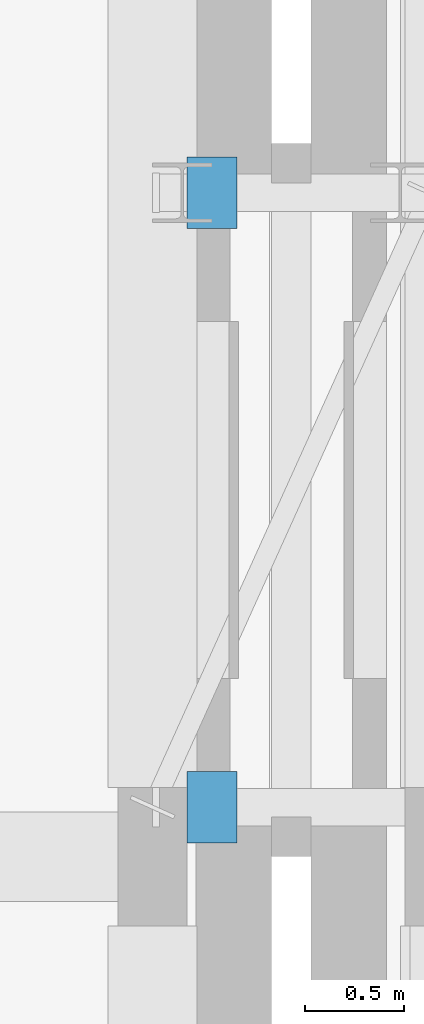
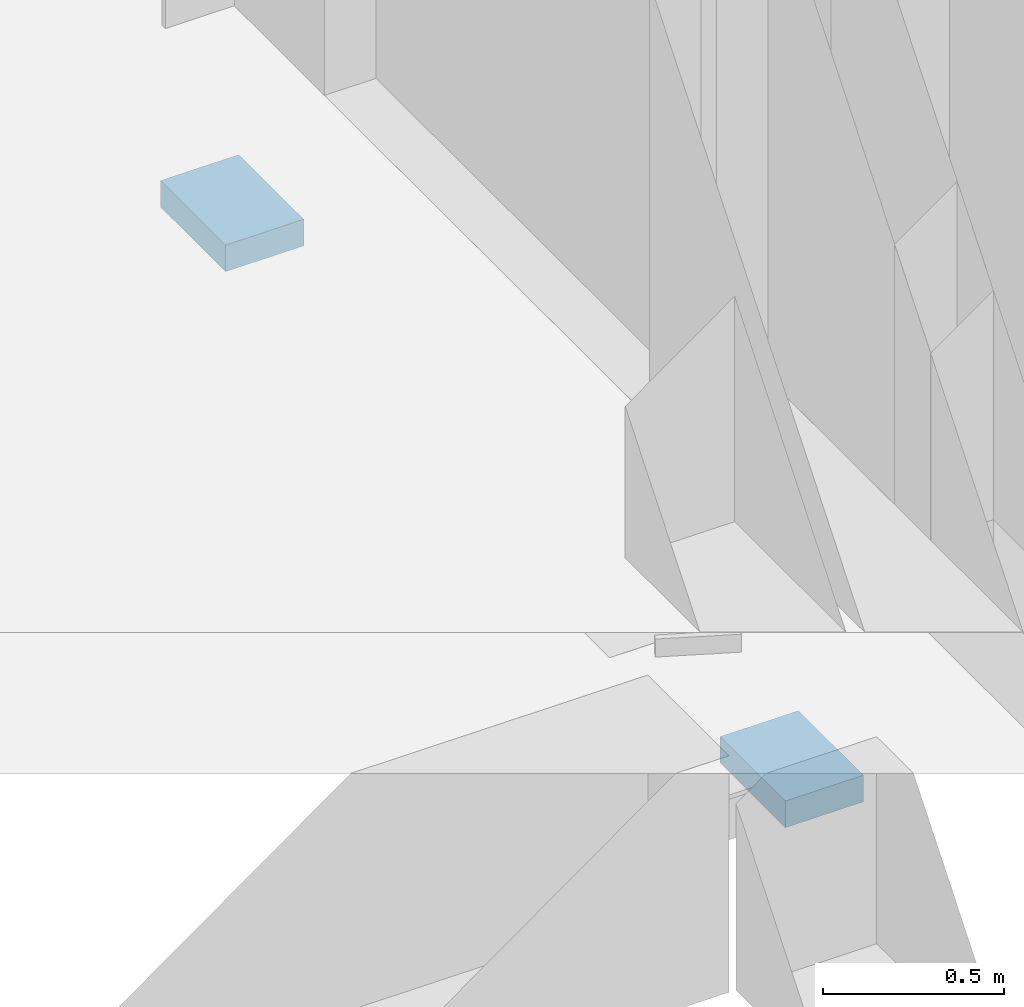
# One storey, part 52 of 73: 2 discrete accessories.
"""IFC4 building model written with IfcOpenShell, lengths in metres."""

from ifc_helpers import new_model, si_unit, direction, frame, origin, origin_2d, place, context, subcontext, project, spatial, rectangle, extrude, material, type_object, element, save


model = new_model("IFC4")

# Units and contexts
model_context = context("Model", 3, precision=1e-05, world=origin(), true_north=direction((0.0, 1.0)))
body_context = subcontext(model_context, "Body", "Model", "MODEL_VIEW")
ifc_project = project(units=[si_unit("LENGTHUNIT", "METRE"), si_unit("AREAUNIT", "SQUARE_METRE"), si_unit("VOLUMEUNIT", "CUBIC_METRE"), si_unit("PLANEANGLEUNIT", "RADIAN"), si_unit("MASSUNIT", "GRAM", prefix="KILO")], contexts=[model_context])

# Site, building, storey
site_placement = place(None, origin())
site = spatial("IfcSite", under=ifc_project, at=site_placement, CompositionType="ELEMENT")
building_placement = place(site_placement, origin())
building = spatial("IfcBuilding", under=site, at=building_placement, Name="Mzevani Central Library", CompositionType="ELEMENT")
storey_placement = place(building_placement, frame((0.0, 0.0, 9.60009765625)))
storey = spatial("IfcBuildingStorey", under=building, at=storey_placement, Name="L02", CompositionType="ELEMENT", Elevation=9.60009765625)

# Discrete accessories
ifc_material = material(Name="PTFE elastomer and Steel S355J2", Category="steel")
discrete_accessory_type = type_object("IfcDiscreteAccessoryType", Name="PTFE Bidirectional Seismic Sliding Bearing", PredefinedType="USERDEFINED", material=ifc_material)
for number, where, z_axis, x_axis, name in (
    (1, (45.60009765625, 100.25, -0.865234375), (0.0, 0.0, 1.0), (1.0, 0.0, 0.0), "Stacks-Court Seismic Passage L02 PTFE Sliding Bearing 1"),
    (2, (45.60009765625, 103.35009765625, -0.865234375), (0.0, 0.0, 1.0), (1.0, 0.0, 0.0), "Stacks-Court Seismic Passage L02 PTFE Sliding Bearing 2"),
):
    element("IfcDiscreteAccessory", number, at=place(storey_placement, frame(where, z_axis=z_axis, x_axis=x_axis)), inside=storey, type_object=discrete_accessory_type, Name=name, ObjectType="PTFE SLIDING BEARING", PredefinedType="USERDEFINED", context=body_context, shape_type="SweptSolid", body=[
        extrude(rectangle(XDim=0.25, YDim=0.360107421875, at=origin_2d()), origin(), (0.0, 0.0, 1.0), 0.090087890625),
    ])

save(model, "model.ifc")
